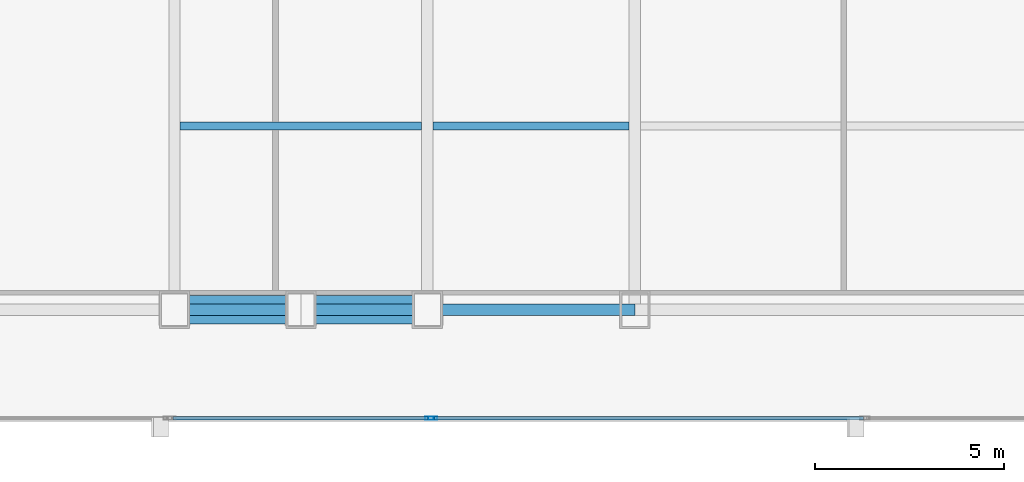
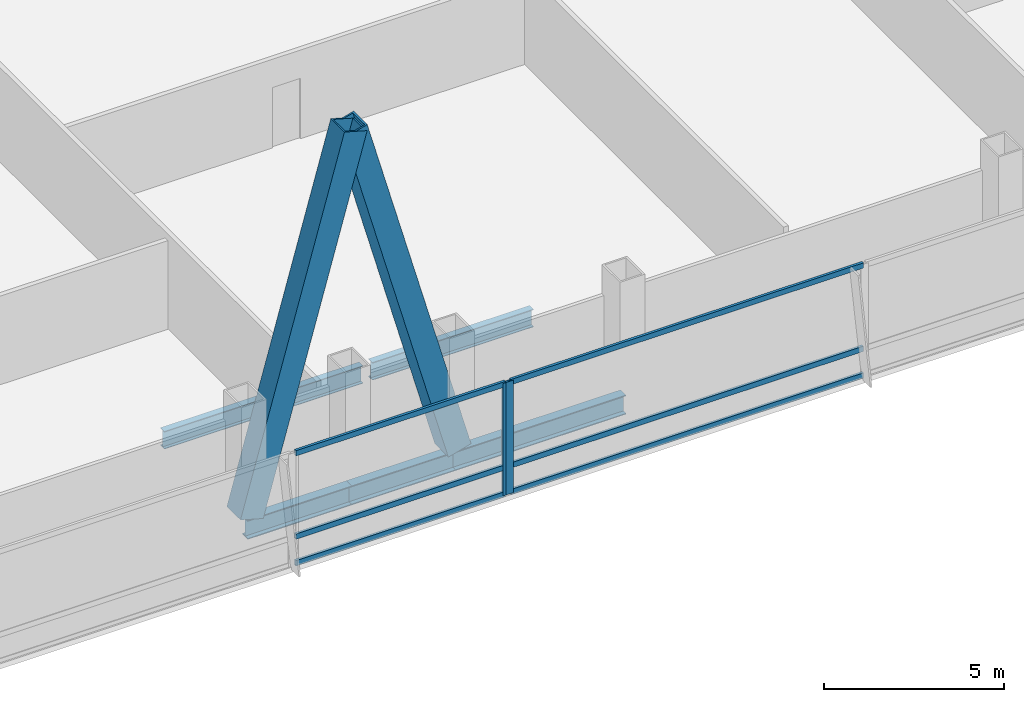
# One storey, part 8 of 35: 10 members, 5 beams, 2 elements without a shape of their own.
"""IFC4 building model written with IfcOpenShell, lengths in metres."""

from ifc_helpers import new_model, si_unit, direction, frame, origin, origin_2d, place, context, subcontext, project, spatial, hollow_rectangle, i_section, extrude, material, material_profile, profile_set, type_object, element, aggregate, save


model = new_model("IFC4")

# Units and contexts
model_context = context("Model", 3, precision=1e-05, world=origin(), true_north=direction((0.0, 1.0)))
body_context = subcontext(model_context, "Body", "Model", "MODEL_VIEW")
ifc_project = project(units=[si_unit("LENGTHUNIT", "METRE"), si_unit("AREAUNIT", "SQUARE_METRE"), si_unit("VOLUMEUNIT", "CUBIC_METRE"), si_unit("PLANEANGLEUNIT", "RADIAN"), si_unit("MASSUNIT", "GRAM", prefix="KILO")], contexts=[model_context])

# Site, building, storey
site_placement = place(None, origin())
site = spatial("IfcSite", under=ifc_project, at=site_placement, CompositionType="ELEMENT")
building_placement = place(site_placement, origin())
building = spatial("IfcBuilding", under=site, at=building_placement, Name="Khoronbel Lancet Exchange", CompositionType="ELEMENT")
storey_placement = place(building_placement, frame((0.0, 0.0, 37.800048828125)))
storey = spatial("IfcBuildingStorey", under=building, at=storey_placement, Name="L08", CompositionType="ELEMENT", Elevation=37.800048828125)

# Beams
ifc_material_1 = material(Name="Steel S355", Category="steel")
ifc_material_profile_1 = material_profile(ifc_material_1, i_section(OverallWidth=0.219970703125, OverallDepth=0.60009765625, WebThickness=0.011962890625, FlangeThickness=0.01904296875, at=origin_2d()), Name="IPE 600")
ifc_profile_set_1 = profile_set([ifc_material_profile_1], Name="Steel S355")
beam_type_1 = type_object("IfcBeamType", Name="BM-BJ1", PredefinedType="JOIST", material=ifc_profile_set_1)
beam_1_placement = place(storey_placement, frame((18.375, 15.0, -0.47998046875), z_axis=(1.0, 0.0, 0.0), x_axis=(0.0, 1.0, 0.0)))
element("IfcBeam", 1, at=beam_1_placement, inside=storey, type_object=beam_type_1, Name="Level L08 secondary composite joist J01", PredefinedType="JOIST", context=body_context, shape_type="SweptSolid", body=[
    extrude(i_section(OverallWidth=0.219970703125, OverallDepth=0.60009765625, WebThickness=0.011962890625, FlangeThickness=0.01904296875, at=origin_2d()), origin(), (0.0, 0.0, 1.0), 6.375),
])
beam_2_placement = place(storey_placement, frame((25.050048828125, 15.0, -0.47998046875), z_axis=(1.0, 0.0, 0.0), x_axis=(0.0, 1.0, 0.0)))
element("IfcBeam", 2, at=beam_2_placement, inside=storey, type_object=beam_type_1, Name="Level L08 secondary composite joist J02", PredefinedType="JOIST", context=body_context, shape_type="SweptSolid", body=[
    extrude(i_section(OverallWidth=0.219970703125, OverallDepth=0.60009765625, WebThickness=0.011962890625, FlangeThickness=0.01904296875, at=origin_2d()), origin(), (0.0, 0.0, 1.0), 5.175048828125),
])
ifc_material_profile_2 = material_profile(ifc_material_1, i_section(OverallWidth=0.300048828125, OverallDepth=0.64990234375, WebThickness=0.01611328125, FlangeThickness=0.031005859375, at=origin_2d()), Name="HEB 650")
ifc_profile_set_2 = profile_set([ifc_material_profile_2], Name="Steel S355")
beam_type_2 = type_object("IfcBeamType", Name="BM-BSP1", PredefinedType="SPANDREL", material=ifc_profile_set_2)
for number, where, z_axis, x_axis, name in (
    (3, (18.22509765625, 10.14990234375, -0.505126953125), (1.0, 0.0, 0.0), (0.0, 1.0, 0.0), "Level L08 perimeter spandrel beam SP02"),
    (4, (21.5625, 10.14990234375, -0.505126953125), (1.0, 0.0, 0.0), (0.0, 1.0, 0.0), "Level L08 perimeter spandrel beam SP03"),
):
    element("IfcBeam", number, at=place(storey_placement, frame(where, z_axis=z_axis, x_axis=x_axis)), inside=storey, type_object=beam_type_2, Name=name, PredefinedType="SPANDREL", context=body_context, shape_type="SweptSolid", body=[
        extrude(i_section(OverallWidth=0.300048828125, OverallDepth=0.64990234375, WebThickness=0.01611328125, FlangeThickness=0.031005859375, at=origin_2d()), origin(), (0.0, 0.0, 1.0), 3.33740234375),
    ])
beam_3_placement = place(storey_placement, frame((24.89990234375, 10.14990234375, -0.505126953125), z_axis=(1.0, 0.0, 0.0), x_axis=(0.0, 1.0, 0.0)))
element("IfcBeam", 5, at=beam_3_placement, inside=storey, type_object=beam_type_2, Name="Level L08 perimeter spandrel beam SP04", PredefinedType="SPANDREL", context=body_context, shape_type="SweptSolid", body=[
    extrude(i_section(OverallWidth=0.300048828125, OverallDepth=0.64990234375, WebThickness=0.01611328125, FlangeThickness=0.031005859375, at=origin_2d()), origin(), (0.0, 0.0, 1.0), 5.47509765625),
])

# Curtain wall, member
ifc_material_2 = material(Name="Low-E Solar Control Insulating Glass", Category="glass")
curtain_wall_type = type_object("IfcCurtainWallType", Name="CW-1", PredefinedType="NOTDEFINED", material=ifc_material_2)
curtain_wall_1_placement = place(storey_placement, origin())
curtain_wall_1 = element("IfcCurtainWall", 6, at=curtain_wall_1_placement, inside=storey, type_object=curtain_wall_type, Name="Unitised curtain wall CW-L08-SWB", PredefinedType="NOTDEFINED")
ifc_material_3 = material(Name="Bronze-Anodised Aluminium 6063-T6", Category="aluminium")
ifc_material_profile_3 = material_profile(ifc_material_3, hollow_rectangle(XDim=0.0849609375, YDim=0.239990234375, WallThickness=0.006103515625, at=origin_2d()), Name="ALU MULLION 85x240")
ifc_profile_set_3 = profile_set([ifc_material_profile_3], Name="Bronze-Anodised Aluminium 6063-T6")
member_type_1 = type_object("IfcMemberType", Name="MEM-CWM1", PredefinedType="MULLION", material=ifc_profile_set_3)
member_1_placement = place(storey_placement, frame((24.95751953125, 7.2900390625, 0.0), z_axis=(0.0, 0.0, 1.0), x_axis=(0.0, 1.0, 0.0)))
member_1 = element("IfcMember", 7, at=member_1_placement, type_object=member_type_1, Name="CW1 mullion 2", PredefinedType="MULLION", context=body_context, shape_type="SweptSolid", body=[
    extrude(hollow_rectangle(XDim=0.0849609375, YDim=0.239990234375, WallThickness=0.006103515625, at=origin_2d()), origin(), (0.0, 0.0, 1.0), 3.820068359375),
])

curtain_wall_2_placement = place(storey_placement, origin())
curtain_wall_2 = element("IfcCurtainWall", 8, at=curtain_wall_2_placement, inside=storey, type_object=curtain_wall_type, Name="Unitised curtain wall CW-L08-SCV", PredefinedType="NOTDEFINED")
member_2_placement = place(storey_placement, frame((25.04248046875, 7.2900390625, 0.0), z_axis=(0.0, 0.0, 1.0), x_axis=(0.0, 1.0, 0.0)))
member_2 = element("IfcMember", 9, at=member_2_placement, type_object=member_type_1, Name="CW1 mullion 1", PredefinedType="MULLION", context=body_context, shape_type="SweptSolid", body=[
    extrude(hollow_rectangle(XDim=0.0849609375, YDim=0.239990234375, WallThickness=0.006103515625, at=origin_2d()), origin(), (0.0, 0.0, 1.0), 3.820068359375),
])

# Member
ifc_material_profile_4 = material_profile(ifc_material_3, hollow_rectangle(XDim=0.0849609375, YDim=0.179931640625, WallThickness=0.0048828125, at=origin_2d()), Name="ALU TRANSOM 85x180")
ifc_profile_set_4 = profile_set([ifc_material_profile_4], Name="Bronze-Anodised Aluminium 6063-T6")
member_type_2 = type_object("IfcMemberType", Name="MEM-CWT1", PredefinedType="USERDEFINED", material=ifc_profile_set_4)
member_3_placement = place(storey_placement, frame((18.18505859375, 7.2900390625, 0.04248046875), z_axis=(1.0, 0.0, 0.0), x_axis=(0.0, 1.0, 0.0)))
member_3 = element("IfcMember", 10, at=member_3_placement, type_object=member_type_2, Name="CW1 transom 1.1", ObjectType="TRANSOM", PredefinedType="USERDEFINED", context=body_context, shape_type="SweptSolid", body=[
    extrude(hollow_rectangle(XDim=0.0849609375, YDim=0.179931640625, WallThickness=0.0048828125, at=origin_2d()), origin(), (0.0, 0.0, 1.0), 6.72998046875),
])

member_4_placement = place(storey_placement, frame((18.18505859375, 7.2900390625, 0.949951171875), z_axis=(1.0, 0.0, 0.0), x_axis=(0.0, 1.0, 0.0)))
member_4 = element("IfcMember", 11, at=member_4_placement, type_object=member_type_2, Name="CW1 transom 1.2", ObjectType="TRANSOM", PredefinedType="USERDEFINED", context=body_context, shape_type="SweptSolid", body=[
    extrude(hollow_rectangle(XDim=0.0849609375, YDim=0.179931640625, WallThickness=0.0048828125, at=origin_2d()), origin(), (0.0, 0.0, 1.0), 6.72998046875),
])

member_5_placement = place(storey_placement, frame((18.18505859375, 7.2900390625, 3.77734375), z_axis=(1.0, 0.0, 0.0), x_axis=(0.0, 1.0, 0.0)))
member_5 = element("IfcMember", 12, at=member_5_placement, type_object=member_type_2, Name="CW1 transom 1.3", ObjectType="TRANSOM", PredefinedType="USERDEFINED", context=body_context, shape_type="SweptSolid", body=[
    extrude(hollow_rectangle(XDim=0.0849609375, YDim=0.179931640625, WallThickness=0.0048828125, at=origin_2d()), origin(), (0.0, 0.0, 1.0), 6.72998046875),
])

aggregate(curtain_wall_1, [member_1, member_3, member_4, member_5])

member_6_placement = place(storey_placement, frame((25.0849609375, 7.2900390625, 0.04248046875), z_axis=(1.0, 0.0, 0.0), x_axis=(0.0, 1.0, 0.0)))
member_6 = element("IfcMember", 13, at=member_6_placement, type_object=member_type_2, Name="CW1 transom 1.1", ObjectType="TRANSOM", PredefinedType="USERDEFINED", context=body_context, shape_type="SweptSolid", body=[
    extrude(hollow_rectangle(XDim=0.0849609375, YDim=0.179931640625, WallThickness=0.0048828125, at=origin_2d()), origin(), (0.0, 0.0, 1.0), 11.322509765625),
])

member_7_placement = place(storey_placement, frame((25.0849609375, 7.2900390625, 0.949951171875), z_axis=(1.0, 0.0, 0.0), x_axis=(0.0, 1.0, 0.0)))
member_7 = element("IfcMember", 14, at=member_7_placement, type_object=member_type_2, Name="CW1 transom 1.2", ObjectType="TRANSOM", PredefinedType="USERDEFINED", context=body_context, shape_type="SweptSolid", body=[
    extrude(hollow_rectangle(XDim=0.0849609375, YDim=0.179931640625, WallThickness=0.0048828125, at=origin_2d()), origin(), (0.0, 0.0, 1.0), 11.322509765625),
])

member_8_placement = place(storey_placement, frame((25.0849609375, 7.2900390625, 3.77734375), z_axis=(1.0, 0.0, 0.0), x_axis=(0.0, 1.0, 0.0)))
member_8 = element("IfcMember", 15, at=member_8_placement, type_object=member_type_2, Name="CW1 transom 1.3", ObjectType="TRANSOM", PredefinedType="USERDEFINED", context=body_context, shape_type="SweptSolid", body=[
    extrude(hollow_rectangle(XDim=0.0849609375, YDim=0.179931640625, WallThickness=0.0048828125, at=origin_2d()), origin(), (0.0, 0.0, 1.0), 11.322509765625),
])

aggregate(curtain_wall_2, [member_2, member_6, member_7, member_8])

# Members
ifc_material_4 = material(Name="Steel S460", Category="steel")
ifc_material_profile_5 = material_profile(ifc_material_4, hollow_rectangle(XDim=0.760009765625, YDim=0.760009765625, WallThickness=0.054931640625, at=origin_2d()), Name="BOX 760x760x55")
ifc_profile_set_5 = profile_set([ifc_material_profile_5], Name="Steel S460")
member_type_3 = type_object("IfcMemberType", Name="MEM-MB1", PredefinedType="BRACE", material=ifc_profile_set_5)
for number, where, z_axis, x_axis, name in (
    (16, (18.22509765625, 10.14990234375, 0.0), (0.267947134133, 0.0, 0.963433616452), (0.0, 1.0, 0.0), "Perimeter lancet brace tier 2 S-W-L"),
    (17, (24.89990234375, 10.14990234375, 0.0), (-0.267947134133, 0.0, 0.963433616452), (0.0, -1.0, 0.0), "Perimeter lancet brace tier 2 S-W-R"),
):
    element("IfcMember", number, at=place(storey_placement, frame(where, z_axis=z_axis, x_axis=x_axis)), inside=storey, type_object=member_type_3, Name=name, PredefinedType="BRACE", context=body_context, shape_type="SweptSolid", body=[
        extrude(hollow_rectangle(XDim=0.760009765625, YDim=0.760009765625, WallThickness=0.054931640625, at=origin_2d()), origin(), (0.0, 0.0, 1.0), 12.45556640625),
    ])

save(model, "model.ifc")
